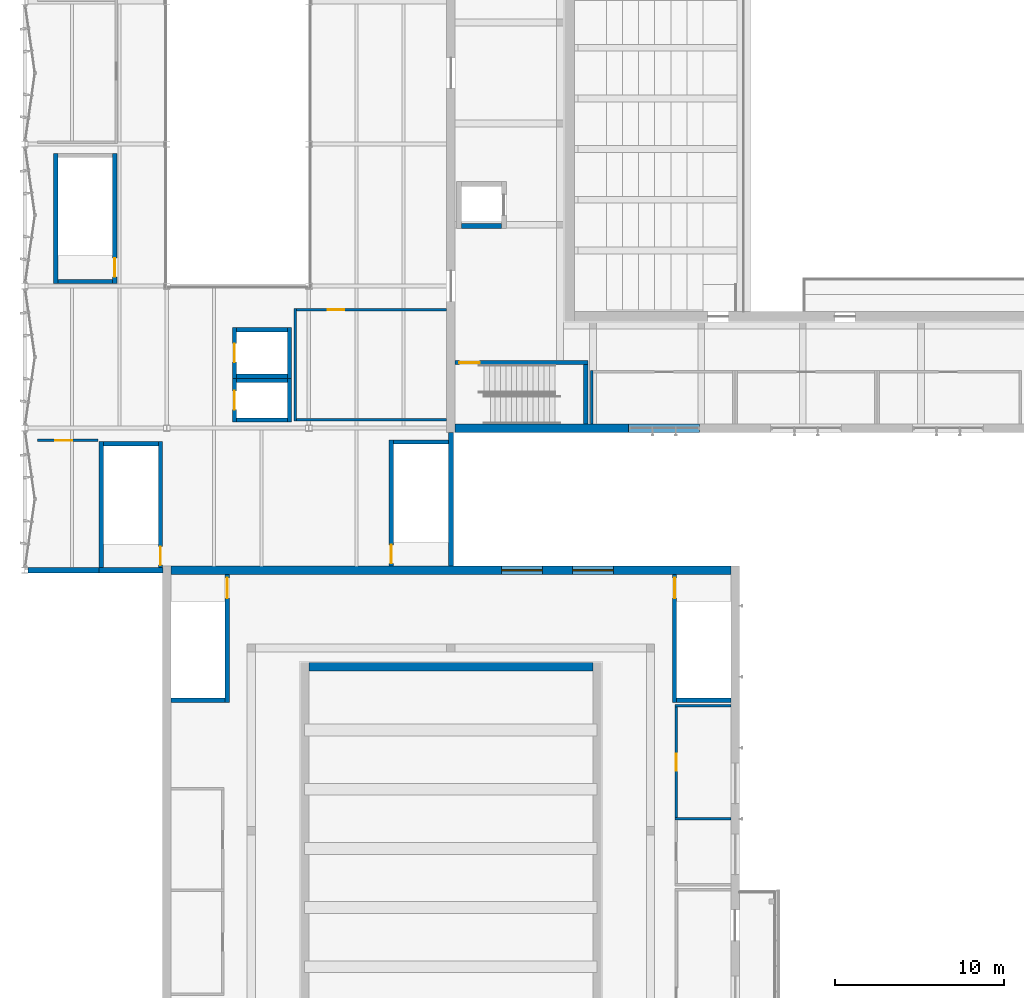
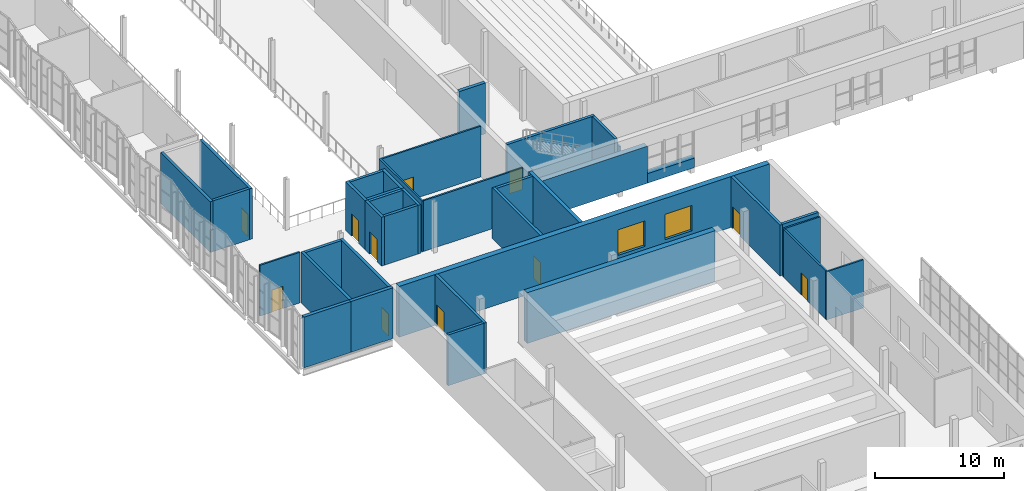
# One storey, part 70 of 116: 38 walls, 11 doors, 2 windows, 13 openings.
"""IFC4 building model written with IfcOpenShell, lengths in metres."""

from ifc_helpers import new_model, si_unit, direction, frame, frame_2d, origin, place, context, subcontext, project, spatial, rectangle, extrude, material, layer, layer_set, type_object, element, fill, save


model = new_model("IFC4")

# Units and contexts
model_context = context("Model", 3, precision=1e-05, world=origin(), true_north=direction((0.0, 1.0)))
body_context = subcontext(model_context, "Body", "Model", "MODEL_VIEW")
ifc_project = project(units=[si_unit("LENGTHUNIT", "METRE"), si_unit("AREAUNIT", "SQUARE_METRE"), si_unit("VOLUMEUNIT", "CUBIC_METRE"), si_unit("PLANEANGLEUNIT", "RADIAN"), si_unit("MASSUNIT", "GRAM", prefix="KILO")], contexts=[model_context])

# Site, building, storey
site_placement = place(None, origin())
site = spatial("IfcSite", under=ifc_project, at=site_placement, CompositionType="ELEMENT")
building_placement = place(site_placement, origin())
building = spatial("IfcBuilding", under=site, at=building_placement, Name="Ljudholm Concert House", CompositionType="ELEMENT")
storey_placement = place(building_placement, frame((0.0, 0.0, 10.199951171875)))
storey = spatial("IfcBuildingStorey", under=building, at=storey_placement, Name="L02", CompositionType="ELEMENT", Elevation=10.199951171875)

# Walls
ifc_material_1 = material(Name="Gypsum board on steel studs", Category="steel")
ifc_layer_1 = layer(ifc_material_1, 0.14990234375)
ifc_layer_set_1 = layer_set([ifc_layer_1], Name="Gypsum board on steel studs")
wall_type_1 = type_object("IfcWallType", Name="GYPSUM PARTITION 150", PredefinedType="PARTITIONING", material=ifc_layer_set_1)
wall_1_placement = place(storey_placement, frame((37.52490234375, 54.64990234375, 0.0), z_axis=(0.0, 0.0, 1.0), x_axis=(0.0, 1.0, 0.0)))
element("IfcWall", 1, at=wall_1_placement, inside=storey, type_object=wall_type_1, Name="Women's WC partition", PredefinedType="PARTITIONING", context=body_context, shape_type="SweptSolid", body=[
    extrude(rectangle(XDim=3.150146484375, YDim=0.14990234375, at=frame_2d((1.5751953125, 0.0))), origin(), (0.0, 0.0, 1.0), 3.949951171875),
])
wall_2_placement = place(storey_placement, frame((42.449951171875, 31.300048828125, 0.0), z_axis=(0.0, 0.0, 1.0), x_axis=(1.0, 0.0, 0.0)))
element("IfcWall", 2, at=wall_2_placement, inside=storey, type_object=wall_type_1, Name="Practice Room 1 partition", PredefinedType="PARTITIONING", context=body_context, shape_type="SweptSolid", body=[
    extrude(rectangle(XDim=3.300048828125, YDim=0.14990234375, at=frame_2d((1.64990234375, 0.0))), origin(), (0.0, 0.0, 1.0), 4.550048828125),
])

# Wall, opening, door
wall_3_placement = place(storey_placement, frame((42.52490234375, 31.375, 0.0), z_axis=(0.0, 0.0, 1.0), x_axis=(0.0, 1.0, 0.0)))
wall_3 = element("IfcWall", 3, at=wall_3_placement, inside=storey, type_object=wall_type_1, Name="Practice Room 2 partition", PredefinedType="PARTITIONING", context=body_context, shape_type="SweptSolid", body=[
    extrude(rectangle(XDim=6.52490234375, YDim=0.14990234375, at=frame_2d((3.262451171875, 0.0))), origin(), (0.0, 0.0, 1.0), 4.550048828125),
])
opening_1_placement = place(wall_3_placement, frame((2.762451171875, 0.0, 0.0)))
opening_1 = element("IfcOpeningElement", 4, at=opening_1_placement, cuts=wall_3, Name="Opening D-C02-010", PredefinedType="OPENING", context=body_context, shape_type="SweptSolid", body=[
    extrude(rectangle(XDim=1.0, YDim=2.10009765625, at=frame_2d((0.5, 1.050048828125))), frame((0.0, 0.0849609375, 0.0), z_axis=(0.0, -1.0, 0.0), x_axis=(1.0, 0.0, 0.0)), (0.0, 0.0, 1.0), 0.169921875),
])
ifc_material_2 = material(Name="Hollow metal door in steel frame", Category="steel")
door_type_1 = type_object("IfcDoorType", Name="SWING DOOR 1000x2100", OperationType="SINGLE_SWING_LEFT", PredefinedType="DOOR", material=ifc_material_2)
door_1_placement = place(opening_1_placement, frame((1.0, 0.0, 0.0), z_axis=(0.0, 0.0, 1.0), x_axis=(-1.0, 0.0, 0.0)))
door_1 = element("IfcDoor", 5, at=door_1_placement, inside=storey, type_object=door_type_1, Name="Practice Room 2 door", OperationType="SINGLE_SWING_LEFT", OverallHeight=2.10009765625, OverallWidth=1.0, PredefinedType="DOOR", context=body_context, shape_type="SweptSolid", body=[
    extrude(rectangle(XDim=1.0, YDim=2.10009765625, at=frame_2d((0.5, 1.050048828125))), frame((0.0, 0.02490234375, 0.0), z_axis=(0.0, -1.0, 0.0), x_axis=(1.0, 0.0, 0.0)), (0.0, 0.0, 1.0), 0.050048828125),
])
fill(opening_1, door_1)

# Wall
wall_4_placement = place(storey_placement, frame((42.449951171875, 37.97509765625, 0.0), z_axis=(0.0, 0.0, 1.0), x_axis=(1.0, 0.0, 0.0)))
element("IfcWall", 6, at=wall_4_placement, inside=storey, type_object=wall_type_1, Name="Practice Room 2 partition", PredefinedType="PARTITIONING", context=body_context, shape_type="SweptSolid", body=[
    extrude(rectangle(XDim=3.300048828125, YDim=0.14990234375, at=frame_2d((1.64990234375, 0.0))), origin(), (0.0, 0.0, 1.0), 4.550048828125),
])

# Wall, opening, door
wall_5_placement = place(storey_placement, frame((4.75, 53.675048828125, 0.0), z_axis=(0.0, 0.0, 1.0), x_axis=(1.0, 0.0, 0.0)))
wall_5 = element("IfcWall", 7, at=wall_5_placement, inside=storey, type_object=wall_type_1, Name="Room wall", PredefinedType="PARTITIONING", context=body_context, shape_type="SweptSolid", body=[
    extrude(rectangle(XDim=3.574951171875, YDim=0.14990234375, at=frame_2d((1.78759765625, 0.0))), origin(), (0.0, 0.0, 1.0), 4.800048828125),
])
opening_2_placement = place(wall_5_placement, frame((1.050048828125, 0.0, 0.0)))
opening_2 = element("IfcOpeningElement", 8, at=opening_2_placement, cuts=wall_5, Name="Opening D-S02-013", PredefinedType="OPENING", context=body_context, shape_type="SweptSolid", body=[
    extrude(rectangle(XDim=1.0, YDim=2.10009765625, at=frame_2d((0.5, 1.050048828125))), frame((0.0, 0.0849609375, 0.0), z_axis=(0.0, -1.0, 0.0), x_axis=(1.0, 0.0, 0.0)), (0.0, 0.0, 1.0), 0.169921875),
])
door_2_placement = place(opening_2_placement, frame((1.0, 0.0, 0.0), z_axis=(0.0, 0.0, 1.0), x_axis=(-1.0, 0.0, 0.0)))
door_2 = element("IfcDoor", 9, at=door_2_placement, inside=storey, type_object=door_type_1, Name="Education Room door", OperationType="SINGLE_SWING_RIGHT", OverallHeight=2.10009765625, OverallWidth=1.0, PredefinedType="DOOR", context=body_context, shape_type="SweptSolid", body=[
    extrude(rectangle(XDim=1.0, YDim=2.10009765625, at=frame_2d((0.5, 1.050048828125))), frame((0.0, 0.02490234375, 0.0), z_axis=(0.0, -1.0, 0.0), x_axis=(1.0, 0.0, 0.0)), (0.0, 0.0, 1.0), 0.050048828125),
])
fill(opening_2, door_2)

# Walls
wall_6_placement = place(storey_placement, frame((20.0, 54.824951171875, 0.0), z_axis=(0.0, 0.0, 1.0), x_axis=(0.0, 1.0, 0.0)))
element("IfcWall", 10, at=wall_6_placement, inside=storey, type_object=wall_type_1, Name="Room wall", PredefinedType="PARTITIONING", context=body_context, shape_type="SweptSolid", body=[
    extrude(rectangle(XDim=6.650146484375, YDim=0.14990234375, at=frame_2d((3.3251953125, 0.0))), origin(), (0.0, 0.0, 1.0), 4.800048828125),
])
wall_7_placement = place(storey_placement, frame((20.074951171875, 54.89990234375, 0.0), z_axis=(0.0, 0.0, 1.0), x_axis=(1.0, 0.0, 0.0)))
element("IfcWall", 11, at=wall_7_placement, inside=storey, type_object=wall_type_1, Name="Room wall", PredefinedType="PARTITIONING", context=body_context, shape_type="SweptSolid", body=[
    extrude(rectangle(XDim=8.875, YDim=0.14990234375, at=frame_2d((4.4375, 0.0))), origin(), (0.0, 0.0, 1.0), 4.800048828125),
])

# Wall, opening, door
wall_8_placement = place(storey_placement, frame((20.074951171875, 61.39990234375, 0.0), z_axis=(0.0, 0.0, 1.0), x_axis=(1.0, 0.0, 0.0)))
wall_8 = element("IfcWall", 12, at=wall_8_placement, inside=storey, type_object=wall_type_1, Name="Room wall", PredefinedType="PARTITIONING", context=body_context, shape_type="SweptSolid", body=[
    extrude(rectangle(XDim=8.875, YDim=0.14990234375, at=frame_2d((4.4375, 0.0))), origin(), (0.0, 0.0, 1.0), 4.800048828125),
])
opening_3_placement = place(wall_8_placement, frame((1.824951171875, 0.0, 0.0)))
opening_3 = element("IfcOpeningElement", 13, at=opening_3_placement, cuts=wall_8, Name="Opening D-S02-014", PredefinedType="OPENING", context=body_context, shape_type="SweptSolid", body=[
    extrude(rectangle(XDim=1.0, YDim=2.10009765625, at=frame_2d((0.5, 1.050048828125))), frame((0.0, 0.0849609375, 0.0), z_axis=(0.0, -1.0, 0.0), x_axis=(1.0, 0.0, 0.0)), (0.0, 0.0, 1.0), 0.169921875),
])
door_3_placement = place(opening_3_placement, frame((1.0, 0.0, 0.0), z_axis=(0.0, 0.0, 1.0), x_axis=(-1.0, 0.0, 0.0)))
door_3 = element("IfcDoor", 14, at=door_3_placement, inside=storey, type_object=door_type_1, Name="Community Room door", OperationType="SINGLE_SWING_RIGHT", OverallHeight=2.10009765625, OverallWidth=1.0, PredefinedType="DOOR", context=body_context, shape_type="SweptSolid", body=[
    extrude(rectangle(XDim=1.0, YDim=2.10009765625, at=frame_2d((0.5, 1.050048828125))), frame((0.0, 0.02490234375, 0.0), z_axis=(0.0, -1.0, 0.0), x_axis=(1.0, 0.0, 0.0)), (0.0, 0.0, 1.0), 0.050048828125),
])
fill(opening_3, door_3)

# Walls
ifc_material_3 = material(Name="Precast concrete 5,000 psi", Category="concrete")
ifc_layer_2 = layer(ifc_material_3, 0.300048828125)
ifc_layer_set_2 = layer_set([ifc_layer_2], Name="Precast concrete 5,000 psi")
wall_type_2 = type_object("IfcWallType", Name="PRECAST PANEL WALL 300", PredefinedType="SOLIDWALL", material=ifc_layer_set_2)
wall_9_placement = place(storey_placement, frame((4.18994140625, 46.0, 0.0), z_axis=(0.0, 0.0, 1.0), x_axis=(1.0, 0.0, 0.0)))
element("IfcWall", 15, at=wall_9_placement, inside=storey, type_object=wall_type_2, Name="South wall", PredefinedType="SOLIDWALL", context=body_context, shape_type="SweptSolid", body=[
    extrude(rectangle(XDim=4.2099609375, YDim=0.300048828125, at=frame_2d((2.10498046875, 0.0))), origin(), (0.0, 0.0, 1.0), 4.800048828125),
])
ifc_material_4 = material(Name="Concrete 6,500 psi", Category="concrete")
ifc_layer_3 = layer(ifc_material_4, 0.25)
ifc_layer_set_3 = layer_set([ifc_layer_3], Name="Concrete 6,500 psi")
wall_type_3 = type_object("IfcWallType", Name="RC CORE WALL 250", PredefinedType="SHEAR", material=ifc_layer_set_3)
wall_10_placement = place(storey_placement, frame((8.52490234375, 46.0, 0.0), z_axis=(0.0, 0.0, 1.0), x_axis=(0.0, 1.0, 0.0)))
element("IfcWall", 16, at=wall_10_placement, inside=storey, type_object=wall_type_3, Name="Stair enclosure wall", PredefinedType="SHEAR", context=body_context, shape_type="SweptSolid", body=[
    extrude(rectangle(XDim=7.60009765625, YDim=0.25, at=frame_2d((3.800048828125, 0.0))), origin(), (0.0, 0.0, 1.0), 4.800048828125),
])

# Wall, opening, door
wall_11_placement = place(storey_placement, frame((12.02490234375, 46.0, 0.0), z_axis=(0.0, 0.0, 1.0), x_axis=(0.0, 1.0, 0.0)))
wall_11 = element("IfcWall", 17, at=wall_11_placement, inside=storey, type_object=wall_type_3, Name="Stair enclosure wall", PredefinedType="SHEAR", context=body_context, shape_type="SweptSolid", body=[
    extrude(rectangle(XDim=7.60009765625, YDim=0.25, at=frame_2d((3.800048828125, 0.0))), origin(), (0.0, 0.0, 1.0), 4.800048828125),
])
opening_4_placement = place(wall_11_placement, frame((0.300048828125, 0.0, 0.0)))
opening_4 = element("IfcOpeningElement", 18, at=opening_4_placement, cuts=wall_11, Name="Opening D-S02-005", PredefinedType="OPENING", context=body_context, shape_type="SweptSolid", body=[
    extrude(rectangle(XDim=1.10009765625, YDim=2.10009765625, at=frame_2d((0.550048828125, 1.050048828125))), frame((0.0, 0.135009765625, 0.0), z_axis=(0.0, -1.0, 0.0), x_axis=(1.0, 0.0, 0.0)), (0.0, 0.0, 1.0), 0.27001953125),
])
ifc_material_5 = material(Name="Hollow metal door in steel frame", Category="steel")
door_type_2 = type_object("IfcDoorType", Name="SWING DOOR 1100x2100", OperationType="SINGLE_SWING_LEFT", PredefinedType="DOOR", material=ifc_material_5)
door_4_placement = place(opening_4_placement, origin())
door_4 = element("IfcDoor", 19, at=door_4_placement, inside=storey, type_object=door_type_2, Name="Stair door", OperationType="SINGLE_SWING_LEFT", OverallHeight=2.10009765625, OverallWidth=1.10009765625, PredefinedType="DOOR", context=body_context, shape_type="SweptSolid", body=[
    extrude(rectangle(XDim=1.10009765625, YDim=2.10009765625, at=frame_2d((0.550048828125, 1.050048828125))), frame((0.0, 0.02490234375, 0.0), z_axis=(0.0, -1.0, 0.0), x_axis=(1.0, 0.0, 0.0)), (0.0, 0.0, 1.0), 0.050048828125),
])
fill(opening_4, door_4)

# Wall
wall_12_placement = place(storey_placement, frame((8.64990234375, 53.47509765625, 0.0), z_axis=(0.0, 0.0, 1.0), x_axis=(1.0, 0.0, 0.0)))
element("IfcWall", 20, at=wall_12_placement, inside=storey, type_object=wall_type_3, Name="Stair enclosure wall", PredefinedType="SHEAR", context=body_context, shape_type="SweptSolid", body=[
    extrude(rectangle(XDim=3.25, YDim=0.25, at=frame_2d((1.625, 0.0))), origin(), (0.0, 0.0, 1.0), 4.800048828125),
])

# Wall, opening, door
wall_13_placement = place(storey_placement, frame((25.675048828125, 46.25, 0.0), z_axis=(0.0, 0.0, 1.0), x_axis=(0.0, 1.0, 0.0)))
wall_13 = element("IfcWall", 21, at=wall_13_placement, inside=storey, type_object=wall_type_3, Name="Stair enclosure wall", PredefinedType="SHEAR", context=body_context, shape_type="SweptSolid", body=[
    extrude(rectangle(XDim=7.449951171875, YDim=0.25, at=frame_2d((3.72509765625, 0.0))), origin(), (0.0, 0.0, 1.0), 4.800048828125),
])
opening_5_placement = place(wall_13_placement, frame((0.14990234375, 0.0, 0.0)))
opening_5 = element("IfcOpeningElement", 22, at=opening_5_placement, cuts=wall_13, Name="Opening D-S02-006", PredefinedType="OPENING", context=body_context, shape_type="SweptSolid", body=[
    extrude(rectangle(XDim=1.10009765625, YDim=2.10009765625, at=frame_2d((0.550048828125, 1.050048828125))), frame((0.0, 0.135009765625, 0.0), z_axis=(0.0, -1.0, 0.0), x_axis=(1.0, 0.0, 0.0)), (0.0, 0.0, 1.0), 0.27001953125),
])
door_5_placement = place(opening_5_placement, frame((1.10009765625, 0.0, 0.0), z_axis=(0.0, 0.0, 1.0), x_axis=(-1.0, 0.0, 0.0)))
door_5 = element("IfcDoor", 23, at=door_5_placement, inside=storey, type_object=door_type_2, Name="Stair door", OperationType="SINGLE_SWING_RIGHT", OverallHeight=2.10009765625, OverallWidth=1.10009765625, PredefinedType="DOOR", context=body_context, shape_type="SweptSolid", body=[
    extrude(rectangle(XDim=1.10009765625, YDim=2.10009765625, at=frame_2d((0.550048828125, 1.050048828125))), frame((0.0, 0.02490234375, 0.0), z_axis=(0.0, -1.0, 0.0), x_axis=(1.0, 0.0, 0.0)), (0.0, 0.0, 1.0), 0.050048828125),
])
fill(opening_5, door_5)

# Walls
wall_14_placement = place(storey_placement, frame((25.800048828125, 53.574951171875, 0.0), z_axis=(0.0, 0.0, 1.0), x_axis=(1.0, 0.0, 0.0)))
element("IfcWall", 24, at=wall_14_placement, inside=storey, type_object=wall_type_3, Name="Stair enclosure wall", PredefinedType="SHEAR", context=body_context, shape_type="SweptSolid", body=[
    extrude(rectangle(XDim=3.25, YDim=0.25, at=frame_2d((1.625, 0.0))), origin(), (0.0, 0.0, 1.0), 4.800048828125),
])
wall_15_placement = place(storey_placement, frame((5.824951171875, 62.949951171875, 0.0), z_axis=(0.0, 0.0, 1.0), x_axis=(0.0, 1.0, 0.0)))
element("IfcWall", 25, at=wall_15_placement, inside=storey, type_object=wall_type_3, Name="Stair enclosure wall", PredefinedType="SHEAR", context=body_context, shape_type="SweptSolid", body=[
    extrude(rectangle(XDim=7.699951171875, YDim=0.25, at=frame_2d((3.85009765625, 0.0))), origin(), (0.0, 0.0, 1.0), 4.800048828125),
])

# Wall, opening, door
wall_16_placement = place(storey_placement, frame((9.324951171875, 62.949951171875, 0.0), z_axis=(0.0, 0.0, 1.0), x_axis=(0.0, 1.0, 0.0)))
wall_16 = element("IfcWall", 26, at=wall_16_placement, inside=storey, type_object=wall_type_3, Name="Stair enclosure wall", PredefinedType="SHEAR", context=body_context, shape_type="SweptSolid", body=[
    extrude(rectangle(XDim=7.699951171875, YDim=0.25, at=frame_2d((3.85009765625, 0.0))), origin(), (0.0, 0.0, 1.0), 4.800048828125),
])
opening_6_placement = place(wall_16_placement, frame((0.39990234375, 0.0, 0.0)))
opening_6 = element("IfcOpeningElement", 27, at=opening_6_placement, cuts=wall_16, Name="Opening D-S02-008", PredefinedType="OPENING", context=body_context, shape_type="SweptSolid", body=[
    extrude(rectangle(XDim=1.10009765625, YDim=2.10009765625, at=frame_2d((0.550048828125, 1.050048828125))), frame((0.0, 0.135009765625, 0.0), z_axis=(0.0, -1.0, 0.0), x_axis=(1.0, 0.0, 0.0)), (0.0, 0.0, 1.0), 0.27001953125),
])
door_6_placement = place(opening_6_placement, origin())
door_6 = element("IfcDoor", 28, at=door_6_placement, inside=storey, type_object=door_type_2, Name="Stair door", OperationType="SINGLE_SWING_LEFT", OverallHeight=2.10009765625, OverallWidth=1.10009765625, PredefinedType="DOOR", context=body_context, shape_type="SweptSolid", body=[
    extrude(rectangle(XDim=1.10009765625, YDim=2.10009765625, at=frame_2d((0.550048828125, 1.050048828125))), frame((0.0, 0.02490234375, 0.0), z_axis=(0.0, -1.0, 0.0), x_axis=(1.0, 0.0, 0.0)), (0.0, 0.0, 1.0), 0.050048828125),
])
fill(opening_6, door_6)

# Wall
wall_17_placement = place(storey_placement, frame((5.949951171875, 63.074951171875, 0.0), z_axis=(0.0, 0.0, 1.0), x_axis=(1.0, 0.0, 0.0)))
element("IfcWall", 29, at=wall_17_placement, inside=storey, type_object=wall_type_3, Name="Stair enclosure wall", PredefinedType="SHEAR", context=body_context, shape_type="SweptSolid", body=[
    extrude(rectangle(XDim=3.25, YDim=0.25, at=frame_2d((1.625, 0.0))), origin(), (0.0, 0.0, 1.0), 4.800048828125),
])

# Wall, opening, door
ifc_material_6 = material(Name="Concrete 6,500 psi", Category="concrete")
ifc_layer_4 = layer(ifc_material_6, 0.25)
ifc_layer_set_4 = layer_set([ifc_layer_4], Name="Concrete 6,500 psi")
wall_type_4 = type_object("IfcWallType", Name="RC WALL 250", PredefinedType="SOLIDWALL", material=ifc_layer_set_4)
wall_18_placement = place(storey_placement, frame((29.449951171875, 58.27490234375, 0.0), z_axis=(0.0, 0.0, 1.0), x_axis=(1.0, 0.0, 0.0)))
wall_18 = element("IfcWall", 30, at=wall_18_placement, inside=storey, type_object=wall_type_4, Name="Stair enclosure wall EH1", PredefinedType="SOLIDWALL", context=body_context, shape_type="SweptSolid", body=[
    extrude(rectangle(XDim=7.85009765625, YDim=0.25, at=frame_2d((3.925048828125, 0.0))), origin(), (0.0, 0.0, 1.0), 4.800048828125),
])
opening_7_placement = place(wall_18_placement, frame((0.25, 0.0, 0.0)))
opening_7 = element("IfcOpeningElement", 31, at=opening_7_placement, cuts=wall_18, Name="Opening D-H02-007", PredefinedType="OPENING", context=body_context, shape_type="SweptSolid", body=[
    extrude(rectangle(XDim=1.199951171875, YDim=2.10009765625, at=frame_2d((0.60009765625, 1.050048828125))), frame((0.0, 0.135009765625, 0.0), z_axis=(0.0, -1.0, 0.0), x_axis=(1.0, 0.0, 0.0)), (0.0, 0.0, 1.0), 0.27001953125),
])
ifc_material_7 = material(Name="Hollow metal door in steel frame", Category="steel")
door_type_3 = type_object("IfcDoorType", Name="SWING DOOR 1200x2100", OperationType="SINGLE_SWING_LEFT", PredefinedType="DOOR", material=ifc_material_7)
door_7_placement = place(opening_7_placement, frame((1.199951171875, 0.0, 0.0), z_axis=(0.0, 0.0, 1.0), x_axis=(-1.0, 0.0, 0.0)))
door_7 = element("IfcDoor", 32, at=door_7_placement, inside=storey, type_object=door_type_3, Name="Exit stair EH1 door", OperationType="SINGLE_SWING_RIGHT", OverallHeight=2.10009765625, OverallWidth=1.199951171875, PredefinedType="DOOR", context=body_context, shape_type="SweptSolid", body=[
    extrude(rectangle(XDim=1.199951171875, YDim=2.10009765625, at=frame_2d((0.60009765625, 1.050048828125))), frame((0.0, 0.02490234375, 0.0), z_axis=(0.0, -1.0, 0.0), x_axis=(1.0, 0.0, 0.0)), (0.0, 0.0, 1.0), 0.050048828125),
])
fill(opening_7, door_7)

# Wall
wall_19_placement = place(storey_placement, frame((37.175048828125, 54.64990234375, 0.0), z_axis=(0.0, 0.0, 1.0), x_axis=(0.0, 1.0, 0.0)))
element("IfcWall", 33, at=wall_19_placement, inside=storey, type_object=wall_type_4, Name="Stair enclosure wall EH1", PredefinedType="SOLIDWALL", context=body_context, shape_type="SweptSolid", body=[
    extrude(rectangle(XDim=3.5, YDim=0.25, at=frame_2d((1.75, 0.0))), origin(), (0.0, 0.0, 1.0), 4.800048828125),
])

# Wall, opening, door
wall_20_placement = place(storey_placement, frame((15.97509765625, 38.179931640625, 0.0), z_axis=(0.0, 0.0, 1.0), x_axis=(0.0, 1.0, 0.0)))
wall_20 = element("IfcWall", 34, at=wall_20_placement, inside=storey, type_object=wall_type_4, Name="Stair enclosure wall EC2", PredefinedType="SOLIDWALL", context=body_context, shape_type="SweptSolid", body=[
    extrude(rectangle(XDim=7.570068359375, YDim=0.25, at=frame_2d((3.78515625, 0.0))), origin(), (0.0, 0.0, 1.0), 4.800048828125),
])
opening_8_placement = place(wall_20_placement, frame((6.169921875, 0.0, 0.0)))
opening_8 = element("IfcOpeningElement", 35, at=opening_8_placement, cuts=wall_20, Name="Opening D-C02-012", PredefinedType="OPENING", context=body_context, shape_type="SweptSolid", body=[
    extrude(rectangle(XDim=1.199951171875, YDim=2.10009765625, at=frame_2d((0.60009765625, 1.050048828125))), frame((0.0, 0.135009765625, 0.0), z_axis=(0.0, -1.0, 0.0), x_axis=(1.0, 0.0, 0.0)), (0.0, 0.0, 1.0), 0.27001953125),
])
door_8_placement = place(opening_8_placement, origin())
door_8 = element("IfcDoor", 36, at=door_8_placement, inside=storey, type_object=door_type_3, Name="Exit stair EC2 door", OperationType="SINGLE_SWING_RIGHT", OverallHeight=2.10009765625, OverallWidth=1.199951171875, PredefinedType="DOOR", context=body_context, shape_type="SweptSolid", body=[
    extrude(rectangle(XDim=1.199951171875, YDim=2.10009765625, at=frame_2d((0.60009765625, 1.050048828125))), frame((0.0, 0.02490234375, 0.0), z_axis=(0.0, -1.0, 0.0), x_axis=(1.0, 0.0, 0.0)), (0.0, 0.0, 1.0), 0.050048828125),
])
fill(opening_8, door_8)

# Wall
wall_21_placement = place(storey_placement, frame((12.64990234375, 38.304931640625, 0.0), z_axis=(0.0, 0.0, 1.0), x_axis=(1.0, 0.0, 0.0)))
element("IfcWall", 37, at=wall_21_placement, inside=storey, type_object=wall_type_4, Name="Stair enclosure wall EC2", PredefinedType="SOLIDWALL", context=body_context, shape_type="SweptSolid", body=[
    extrude(rectangle(XDim=3.2001953125, YDim=0.25, at=frame_2d((1.60009765625, 0.0))), origin(), (0.0, 0.0, 1.0), 4.800048828125),
])

# Wall, opening, door
wall_22_placement = place(storey_placement, frame((42.425048828125, 38.179931640625, 0.0), z_axis=(0.0, 0.0, 1.0), x_axis=(0.0, 1.0, 0.0)))
wall_22 = element("IfcWall", 38, at=wall_22_placement, inside=storey, type_object=wall_type_4, Name="Stair enclosure wall EC3", PredefinedType="SOLIDWALL", context=body_context, shape_type="SweptSolid", body=[
    extrude(rectangle(XDim=7.570068359375, YDim=0.25, at=frame_2d((3.78515625, 0.0))), origin(), (0.0, 0.0, 1.0), 4.800048828125),
])
opening_9_placement = place(wall_22_placement, frame((6.169921875, 0.0, 0.0)))
opening_9 = element("IfcOpeningElement", 39, at=opening_9_placement, cuts=wall_22, Name="Opening D-C02-013", PredefinedType="OPENING", context=body_context, shape_type="SweptSolid", body=[
    extrude(rectangle(XDim=1.199951171875, YDim=2.10009765625, at=frame_2d((0.60009765625, 1.050048828125))), frame((0.0, 0.135009765625, 0.0), z_axis=(0.0, -1.0, 0.0), x_axis=(1.0, 0.0, 0.0)), (0.0, 0.0, 1.0), 0.27001953125),
])
door_9_placement = place(opening_9_placement, frame((1.199951171875, 0.0, 0.0), z_axis=(0.0, 0.0, 1.0), x_axis=(-1.0, 0.0, 0.0)))
door_9 = element("IfcDoor", 40, at=door_9_placement, inside=storey, type_object=door_type_3, Name="Exit stair EC3 door", OperationType="SINGLE_SWING_LEFT", OverallHeight=2.10009765625, OverallWidth=1.199951171875, PredefinedType="DOOR", context=body_context, shape_type="SweptSolid", body=[
    extrude(rectangle(XDim=1.199951171875, YDim=2.10009765625, at=frame_2d((0.60009765625, 1.050048828125))), frame((0.0, 0.02490234375, 0.0), z_axis=(0.0, -1.0, 0.0), x_axis=(1.0, 0.0, 0.0)), (0.0, 0.0, 1.0), 0.050048828125),
])
fill(opening_9, door_9)

# Wall
wall_23_placement = place(storey_placement, frame((42.550048828125, 38.304931640625, 0.0), z_axis=(0.0, 0.0, 1.0), x_axis=(1.0, 0.0, 0.0)))
element("IfcWall", 41, at=wall_23_placement, inside=storey, type_object=wall_type_4, Name="Stair enclosure wall EC3", PredefinedType="SOLIDWALL", context=body_context, shape_type="SweptSolid", body=[
    extrude(rectangle(XDim=3.199951171875, YDim=0.25, at=frame_2d((1.60009765625, 0.0))), origin(), (0.0, 0.0, 1.0), 4.800048828125),
])

# Wall, opening, door
wall_24_placement = place(storey_placement, frame((16.39990234375, 54.75, 0.0), z_axis=(0.0, 0.0, 1.0), x_axis=(0.0, 1.0, 0.0)))
wall_24 = element("IfcWall", 42, at=wall_24_placement, inside=storey, type_object=wall_type_4, Name="Lift shaft wall", PredefinedType="SOLIDWALL", context=body_context, shape_type="SweptSolid", body=[
    extrude(rectangle(XDim=2.60009765625, YDim=0.25, at=frame_2d((1.300048828125, 0.0))), origin(), (0.0, 0.0, 1.0), 4.60009765625),
])
opening_10_placement = place(wall_24_placement, frame((0.75, 0.0, 0.0)))
opening_10 = element("IfcOpeningElement", 43, at=opening_10_placement, cuts=wall_24, Name="Opening LD-S02-011", PredefinedType="OPENING", context=body_context, shape_type="SweptSolid", body=[
    extrude(rectangle(XDim=1.10009765625, YDim=2.10009765625, at=frame_2d((0.550048828125, 1.050048828125))), frame((0.0, 0.135009765625, 0.0), z_axis=(0.0, -1.0, 0.0), x_axis=(1.0, 0.0, 0.0)), (0.0, 0.0, 1.0), 0.27001953125),
])
ifc_material_8 = material(Name="Stainless steel sliding landing door, fire-rated", Category="steel")
door_type_4 = type_object("IfcDoorType", Name="LIFT DOOR 1100x2100", OperationType="SLIDING_TO_LEFT", PredefinedType="DOOR", material=ifc_material_8)
door_10_placement = place(opening_10_placement, origin())
door_10 = element("IfcDoor", 44, at=door_10_placement, inside=storey, type_object=door_type_4, Name="Lift landing door", OperationType="SLIDING_TO_LEFT", OverallHeight=2.10009765625, OverallWidth=1.10009765625, PredefinedType="DOOR", context=body_context, shape_type="SweptSolid", body=[
    extrude(rectangle(XDim=1.10009765625, YDim=2.10009765625, at=frame_2d((0.550048828125, 1.050048828125))), frame((0.0, 0.02490234375, 0.0), z_axis=(0.0, -1.0, 0.0), x_axis=(1.0, 0.0, 0.0)), (0.0, 0.0, 1.0), 0.050048828125),
])
fill(opening_10, door_10)

# Walls
wall_25_placement = place(storey_placement, frame((19.64990234375, 54.75, 0.0), z_axis=(0.0, 0.0, 1.0), x_axis=(0.0, 1.0, 0.0)))
element("IfcWall", 45, at=wall_25_placement, inside=storey, type_object=wall_type_4, Name="Lift shaft wall", PredefinedType="SOLIDWALL", context=body_context, shape_type="SweptSolid", body=[
    extrude(rectangle(XDim=2.60009765625, YDim=0.25, at=frame_2d((1.300048828125, 0.0))), origin(), (0.0, 0.0, 1.0), 4.60009765625),
])
for number, where, z_axis, x_axis, name in (
    (46, (16.52490234375, 54.875, 0.0), (0.0, 0.0, 1.0), (1.0, 0.0, 0.0), "Lift shaft wall"),
    (47, (16.52490234375, 57.22509765625, 0.0), (0.0, 0.0, 1.0), (1.0, 0.0, 0.0), "Lift shaft wall"),
):
    element("IfcWall", number, at=place(storey_placement, frame(where, z_axis=z_axis, x_axis=x_axis)), inside=storey, type_object=wall_type_4, Name=name, PredefinedType="SOLIDWALL", context=body_context, shape_type="SweptSolid", body=[
        extrude(rectangle(XDim=3.0, YDim=0.25, at=frame_2d((1.5, 0.0))), origin(), (0.0, 0.0, 1.0), 4.60009765625),
    ])

# Wall, opening, door
wall_26_placement = place(storey_placement, frame((16.39990234375, 57.35009765625, 0.0), z_axis=(0.0, 0.0, 1.0), x_axis=(0.0, 1.0, 0.0)))
wall_26 = element("IfcWall", 48, at=wall_26_placement, inside=storey, type_object=wall_type_4, Name="Lift shaft wall", PredefinedType="SOLIDWALL", context=body_context, shape_type="SweptSolid", body=[
    extrude(rectangle(XDim=3.0, YDim=0.25, at=frame_2d((1.5, 0.0))), origin(), (0.0, 0.0, 1.0), 4.60009765625),
])
opening_11_placement = place(wall_26_placement, frame((0.949951171875, 0.0, 0.0)))
opening_11 = element("IfcOpeningElement", 49, at=opening_11_placement, cuts=wall_26, Name="Opening LD-S02-012", PredefinedType="OPENING", context=body_context, shape_type="SweptSolid", body=[
    extrude(rectangle(XDim=1.10009765625, YDim=2.10009765625, at=frame_2d((0.550048828125, 1.050048828125))), frame((0.0, 0.135009765625, 0.0), z_axis=(0.0, -1.0, 0.0), x_axis=(1.0, 0.0, 0.0)), (0.0, 0.0, 1.0), 0.27001953125),
])
door_11_placement = place(opening_11_placement, origin())
door_11 = element("IfcDoor", 50, at=door_11_placement, inside=storey, type_object=door_type_4, Name="Lift landing door", OperationType="SLIDING_TO_LEFT", OverallHeight=2.10009765625, OverallWidth=1.10009765625, PredefinedType="DOOR", context=body_context, shape_type="SweptSolid", body=[
    extrude(rectangle(XDim=1.10009765625, YDim=2.10009765625, at=frame_2d((0.550048828125, 1.050048828125))), frame((0.0, 0.02490234375, 0.0), z_axis=(0.0, -1.0, 0.0), x_axis=(1.0, 0.0, 0.0)), (0.0, 0.0, 1.0), 0.050048828125),
])
fill(opening_11, door_11)

# Walls
for number, where, z_axis, x_axis, name in (
    (51, (19.64990234375, 57.35009765625, 0.0), (0.0, 0.0, 1.0), (0.0, 1.0, 0.0), "Lift shaft wall"),
    (52, (16.52490234375, 57.47509765625, 0.0), (0.0, 0.0, 1.0), (1.0, 0.0, 0.0), "Lift shaft wall"),
    (53, (16.52490234375, 60.22509765625, 0.0), (0.0, 0.0, 1.0), (1.0, 0.0, 0.0), "Lift shaft wall"),
):
    element("IfcWall", number, at=place(storey_placement, frame(where, z_axis=z_axis, x_axis=x_axis)), inside=storey, type_object=wall_type_4, Name=name, PredefinedType="SOLIDWALL", context=body_context, shape_type="SweptSolid", body=[
        extrude(rectangle(XDim=3.0, YDim=0.25, at=frame_2d((1.5, 0.0))), origin(), (0.0, 0.0, 1.0), 4.60009765625),
    ])
ifc_material_9 = material(Name="Concrete 6,500 psi", Category="concrete")
ifc_layer_5 = layer(ifc_material_9, 0.300048828125)
ifc_layer_set_5 = layer_set([ifc_layer_5], Name="Concrete 6,500 psi")
wall_type_5 = type_object("IfcWallType", Name="RC WALL 300", PredefinedType="SOLIDWALL", material=ifc_layer_set_5)
wall_27_placement = place(storey_placement, frame((29.824951171875, 66.35009765625, 0.0), z_axis=(0.0, 0.0, 1.0), x_axis=(1.0, 0.0, 0.0)))
element("IfcWall", 54, at=wall_27_placement, inside=storey, type_object=wall_type_5, Name="Lift shaft wall", PredefinedType="SOLIDWALL", context=body_context, shape_type="SweptSolid", body=[
    extrude(rectangle(XDim=2.35009765625, YDim=0.300048828125, at=frame_2d((1.175048828125, 0.0))), origin(), (0.0, 0.0, 1.0), 4.800048828125),
])
ifc_material_10 = material(Name="Concrete 6,500 psi", Category="concrete")
ifc_layer_6 = layer(ifc_material_10, 0.300048828125)
ifc_layer_set_6 = layer_set([ifc_layer_6], Name="Concrete 6,500 psi")
wall_type_6 = type_object("IfcWallType", Name="RC WALL 300 EXTERNAL", PredefinedType="SOLIDWALL", material=ifc_layer_set_6)
wall_28_placement = place(storey_placement, frame((29.199951171875, 46.25, 0.0), z_axis=(0.0, 0.0, 1.0), x_axis=(0.0, 1.0, 0.0)))
element("IfcWall", 55, at=wall_28_placement, inside=storey, type_object=wall_type_6, Name="Stair enclosure wall", PredefinedType="SOLIDWALL", context=body_context, shape_type="SweptSolid", body=[
    extrude(rectangle(XDim=7.89990234375, YDim=0.300048828125, at=frame_2d((3.949951171875, 0.0))), origin(), (0.0, 0.0, 1.0), 4.800048828125),
])
wall_29_placement = place(storey_placement, frame((8.39990234375, 46.0, 0.0), z_axis=(0.0, 0.0, 1.0), x_axis=(1.0, 0.0, 0.0)))
element("IfcWall", 56, at=wall_29_placement, inside=storey, type_object=wall_type_6, Name="Stair enclosure wall", PredefinedType="SOLIDWALL", context=body_context, shape_type="SweptSolid", body=[
    extrude(rectangle(XDim=3.775146484375, YDim=0.300048828125, at=frame_2d((1.8876953125, 0.0))), origin(), (0.0, 0.0, 1.0), 4.800048828125),
])
ifc_material_11 = material(Name="Concrete 6,500 psi", Category="concrete")
ifc_layer_7 = layer(ifc_material_11, 0.5)
ifc_layer_set_7 = layer_set([ifc_layer_7], Name="Concrete 6,500 psi")
wall_type_7 = type_object("IfcWallType", Name="RC WALL 500", PredefinedType="SOLIDWALL", material=ifc_layer_set_7)
wall_30_placement = place(storey_placement, frame((29.449951171875, 54.39990234375, 0.0), z_axis=(0.0, 0.0, 1.0), x_axis=(1.0, 0.0, 0.0)))
element("IfcWall", 57, at=wall_30_placement, inside=storey, type_object=wall_type_7, Name="Outer wall S", PredefinedType="SOLIDWALL", context=body_context, shape_type="SweptSolid", body=[
    extrude(rectangle(XDim=10.25, YDim=0.5, at=frame_2d((5.125, 0.0))), origin(), (0.0, 0.0, 1.0), 3.5),
])
wall_31_placement = place(storey_placement, frame((39.699951171875, 54.39990234375, 0.0), z_axis=(0.0, 0.0, 1.0), x_axis=(1.0, 0.0, 0.0)))
element("IfcWall", 58, at=wall_31_placement, inside=storey, type_object=wall_type_7, Name="Outer wall S", PredefinedType="SOLIDWALL", context=body_context, shape_type="SweptSolid", body=[
    extrude(rectangle(XDim=4.199951171875, YDim=0.5, at=frame_2d((2.10009765625, 0.0))), origin(), (0.0, 0.0, 1.0), 0.900146484375),
])

# Wall, openings, windows
wall_32_placement = place(storey_placement, frame((12.64990234375, 46.0, 0.0), z_axis=(0.0, 0.0, 1.0), x_axis=(1.0, 0.0, 0.0)))
wall_32 = element("IfcWall", 59, at=wall_32_placement, inside=storey, type_object=wall_type_7, Name="Outer wall N", PredefinedType="SOLIDWALL", context=body_context, shape_type="SweptSolid", body=[
    extrude(rectangle(XDim=33.10009765625, YDim=0.5, at=frame_2d((16.550048828125, 0.0))), origin(), (0.0, 0.0, 1.0), 4.800048828125),
])
opening_12_placement = place(wall_32_placement, frame((19.550048828125, 0.0, 0.89990234375)))
opening_12 = element("IfcOpeningElement", 60, at=opening_12_placement, cuts=wall_32, Name="Opening X-C02-010", PredefinedType="OPENING", context=body_context, shape_type="SweptSolid", body=[
    extrude(rectangle(XDim=2.39990234375, YDim=2.39990234375, at=frame_2d((1.199951171875, 1.199951171875))), frame((0.0, 0.260009765625, 0.0), z_axis=(0.0, -1.0, 0.0), x_axis=(1.0, 0.0, 0.0)), (0.0, 0.0, 1.0), 0.52001953125),
])
opening_13_placement = place(wall_32_placement, frame((23.75, 0.0, 0.89990234375)))
opening_13 = element("IfcOpeningElement", 61, at=opening_13_placement, cuts=wall_32, Name="Opening X-C02-011", PredefinedType="OPENING", context=body_context, shape_type="SweptSolid", body=[
    extrude(rectangle(XDim=2.39990234375, YDim=2.39990234375, at=frame_2d((1.199951171875, 1.199951171875))), frame((0.0, 0.260009765625, 0.0), z_axis=(0.0, -1.0, 0.0), x_axis=(1.0, 0.0, 0.0)), (0.0, 0.0, 1.0), 0.52001953125),
])
ifc_material_12 = material(Name="Aluminium frame, impact glazing", Category="aluminium")
window_type = type_object("IfcWindowType", Name="FIXED WINDOW 2400x2400", PartitioningType="SINGLE_PANEL", PredefinedType="WINDOW", material=ifc_material_12)
window_1_placement = place(opening_12_placement, origin())
window_1 = element("IfcWindow", 62, at=window_1_placement, inside=storey, type_object=window_type, Name="Promenade window", OverallHeight=2.39990234375, OverallWidth=2.39990234375, PartitioningType="SINGLE_PANEL", PredefinedType="WINDOW", context=body_context, shape_type="SweptSolid", body=[
    extrude(rectangle(XDim=2.39990234375, YDim=2.39990234375, at=frame_2d((1.199951171875, 1.199951171875))), frame((0.0, 0.030029296875, 0.0), z_axis=(0.0, -1.0, 0.0), x_axis=(1.0, 0.0, 0.0)), (0.0, 0.0, 1.0), 0.06005859375),
])
fill(opening_12, window_1)
window_2_placement = place(opening_13_placement, origin())
window_2 = element("IfcWindow", 63, at=window_2_placement, inside=storey, type_object=window_type, Name="Promenade window", OverallHeight=2.39990234375, OverallWidth=2.39990234375, PartitioningType="SINGLE_PANEL", PredefinedType="WINDOW", context=body_context, shape_type="SweptSolid", body=[
    extrude(rectangle(XDim=2.39990234375, YDim=2.39990234375, at=frame_2d((1.199951171875, 1.199951171875))), frame((0.0, 0.030029296875, 0.0), z_axis=(0.0, -1.0, 0.0), x_axis=(1.0, 0.0, 0.0)), (0.0, 0.0, 1.0), 0.06005859375),
])
fill(opening_13, window_2)

# Wall
ifc_material_13 = material(Name="Concrete 6,500 psi", Category="concrete")
ifc_layer_8 = layer(ifc_material_13, 0.5)
ifc_layer_set_8 = layer_set([ifc_layer_8], Name="Concrete 6,500 psi")
wall_type_8 = type_object("IfcWallType", Name="RC WALL 500 INTERNAL", PredefinedType="SOLIDWALL", material=ifc_layer_set_8)
wall_33_placement = place(storey_placement, frame((20.800048828125, 40.300048828125, 0.0), z_axis=(0.0, 0.0, 1.0), x_axis=(1.0, 0.0, 0.0)))
element("IfcWall", 64, at=wall_33_placement, inside=storey, type_object=wall_type_8, Name="Inner box wall N", PredefinedType="SOLIDWALL", context=body_context, shape_type="SweptSolid", body=[
    extrude(rectangle(XDim=16.800048828125, YDim=0.5, at=frame_2d((8.39990234375, 0.0))), origin(), (0.0, 0.0, 1.0), 4.800048828125),
])

save(model, "model.ifc")
